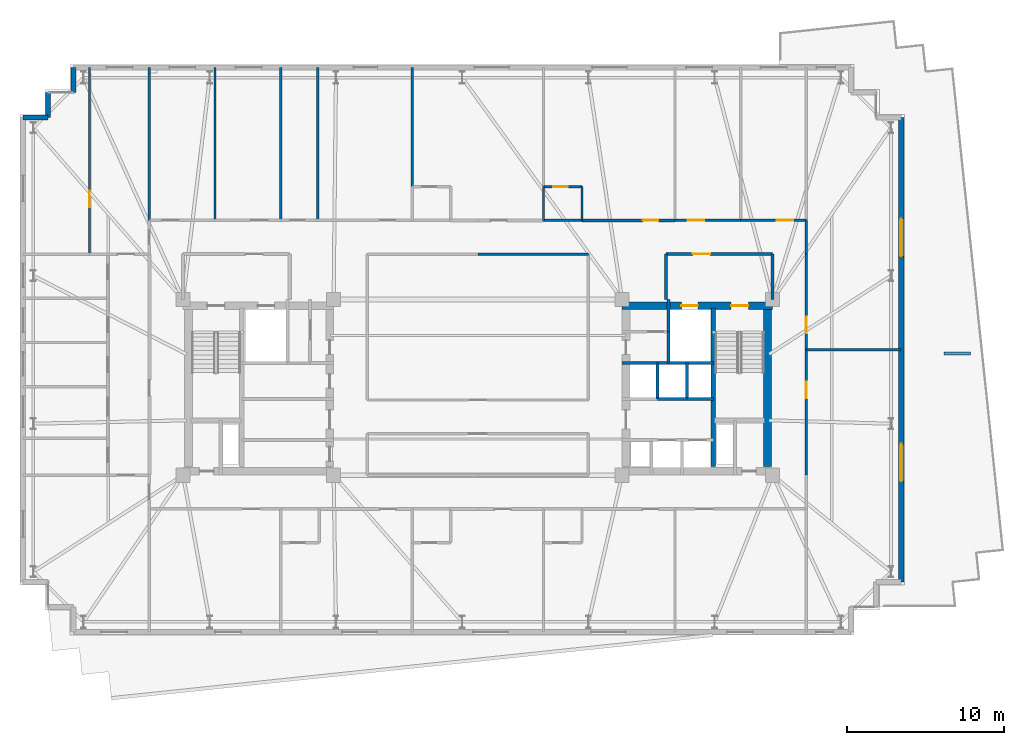
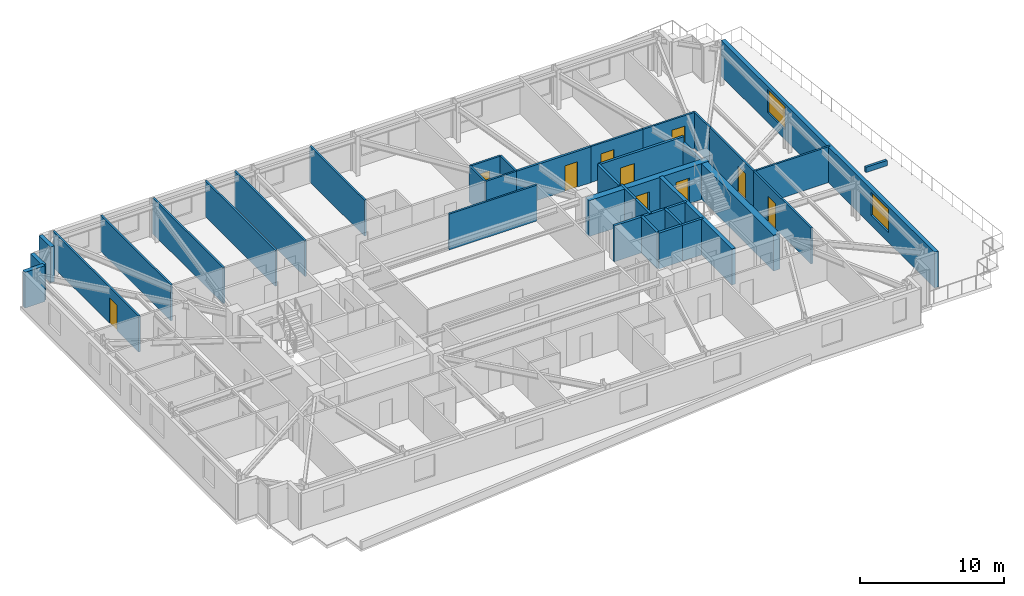
# One storey, part 14 of 19: 36 walls, 10 doors, 2 windows, 12 openings.
"""IFC4 building model written with IfcOpenShell, lengths in metres."""

from ifc_helpers import new_model, si_unit, direction, frame, frame_2d, origin, place, context, subcontext, project, spatial, rectangle, extrude, material, layer, layer_set, type_object, element, fill, save


model = new_model("IFC4")

# Units and contexts
model_context = context("Model", 3, precision=1e-05, world=origin(), true_north=direction((0.0, 1.0)))
body_context = subcontext(model_context, "Body", "Model", "MODEL_VIEW")
ifc_project = project(units=[si_unit("LENGTHUNIT", "METRE"), si_unit("AREAUNIT", "SQUARE_METRE"), si_unit("VOLUMEUNIT", "CUBIC_METRE"), si_unit("PLANEANGLEUNIT", "RADIAN"), si_unit("MASSUNIT", "GRAM", prefix="KILO")], contexts=[model_context])

# Site, building, storey
site_placement = place(None, origin())
site = spatial("IfcSite", under=ifc_project, at=site_placement, CompositionType="ELEMENT")
building_placement = place(site_placement, origin())
building = spatial("IfcBuilding", under=site, at=building_placement, Name="Qobustan Lattice House", CompositionType="ELEMENT")
storey_placement = place(building_placement, frame((0.0, 0.0, 131.0)))
storey = spatial("IfcBuildingStorey", under=building, at=storey_placement, Name="L36", CompositionType="ELEMENT", Elevation=131.0)

# Wall, openings, doors
ifc_material_1 = material(Name="Concrete C50/60", Category="concrete")
ifc_layer_1 = layer(ifc_material_1, 0.5)
ifc_layer_set_1 = layer_set([ifc_layer_1], Name="Concrete C50/60")
wall_type_1 = type_object("IfcWallType", Name="WAL-CORE-500", PredefinedType="SHEAR", material=ifc_layer_set_1)
wall_1_placement = place(storey_placement, frame((9.199951171875, 5.2099609375, 0.0), z_axis=(0.0, 0.0, 1.0), x_axis=(1.0, 0.0, 0.0)))
wall_1 = element("IfcWall", 1, at=wall_1_placement, inside=storey, type_object=wall_type_1, Name="L36 split-core shear wall CE-N", PredefinedType="SHEAR", context=body_context, shape_type="SweptSolid", body=[
    extrude(rectangle(XDim=9.60009765625, YDim=0.5, at=frame_2d((4.800048828125, 0.0))), origin(), (0.0, 0.0, 1.0), 3.0400390625),
])
opening_1_placement = place(wall_1_placement, frame((6.949951171875, 0.0, 0.0)))
opening_1 = element("IfcOpeningElement", 2, at=opening_1_placement, cuts=wall_1, Name="Opening SD-01", PredefinedType="OPENING", context=body_context, shape_type="SweptSolid", body=[
    extrude(rectangle(XDim=1.10009765625, YDim=2.14990234375, at=frame_2d((0.550048828125, 1.074951171875))), frame((0.0, 0.260009765625, 0.0), z_axis=(0.0, -1.0, 0.0), x_axis=(1.0, 0.0, 0.0)), (0.0, 0.0, 1.0), 0.52001953125),
])
opening_2_placement = place(wall_1_placement, frame((3.77490234375, 0.0, 0.0)))
opening_2 = element("IfcOpeningElement", 3, at=opening_2_placement, cuts=wall_1, Name="Opening LD-01", PredefinedType="OPENING", context=body_context, shape_type="SweptSolid", body=[
    extrude(rectangle(XDim=1.050048828125, YDim=2.10009765625, at=frame_2d((0.52490234375, 1.050048828125))), frame((0.0, 0.260009765625, 0.0), z_axis=(0.0, -1.0, 0.0), x_axis=(1.0, 0.0, 0.0)), (0.0, 0.0, 1.0), 0.52001953125),
])
ifc_material_2 = material(Name="Persian walnut timber and steel frame door", Category="steel")
door_type_1 = type_object("IfcDoorType", Name="DOR-LIFT-LD-1050x2100", OperationType="NOTDEFINED", PredefinedType="DOOR", material=ifc_material_2)
door_1_placement = place(opening_2_placement, origin())
door_1 = element("IfcDoor", 4, at=door_1_placement, inside=storey, type_object=door_type_1, Name="L36 firefighting lift FF-E landing door", OperationType="DOUBLE_DOOR_SLIDING", OverallHeight=2.10009765625, OverallWidth=1.050048828125, PredefinedType="DOOR", context=body_context, shape_type="SweptSolid", body=[
    extrude(rectangle(XDim=1.050048828125, YDim=2.10009765625, at=frame_2d((0.52490234375, 1.050048828125))), frame((0.0, 0.02490234375, 0.0), z_axis=(0.0, -1.0, 0.0), x_axis=(1.0, 0.0, 0.0)), (0.0, 0.0, 1.0), 0.050048828125),
])
fill(opening_2, door_1)
ifc_material_3 = material(Name="Persian walnut timber and steel frame door", Category="steel")
door_type_2 = type_object("IfcDoorType", Name="DOR-STAIR-FD-1100x2150", OperationType="NOTDEFINED", PredefinedType="DOOR", material=ifc_material_3)
door_2_placement = place(opening_1_placement, origin())
door_2 = element("IfcDoor", 5, at=door_2_placement, inside=storey, type_object=door_type_2, Name="L36 exit stair ST-E1 fire door", OperationType="SINGLE_SWING_LEFT", OverallHeight=2.14990234375, OverallWidth=1.10009765625, PredefinedType="DOOR", context=body_context, shape_type="SweptSolid", body=[
    extrude(rectangle(XDim=1.10009765625, YDim=2.14990234375, at=frame_2d((0.550048828125, 1.074951171875))), frame((0.0, 0.02490234375, 0.0), z_axis=(0.0, -1.0, 0.0), x_axis=(1.0, 0.0, 0.0)), (0.0, 0.0, 1.0), 0.050048828125),
])
fill(opening_1, door_2)

# Walls
wall_2_placement = place(storey_placement, frame((18.4599609375, -5.050048828125, 0.0), z_axis=(0.0, 0.0, 1.0), x_axis=(0.0, 1.0, 0.0)))
element("IfcWall", 6, at=wall_2_placement, inside=storey, type_object=wall_type_1, Name="L36 split-core shear wall CE-E", PredefinedType="SHEAR", context=body_context, shape_type="SweptSolid", body=[
    extrude(rectangle(XDim=10.10009765625, YDim=0.5, at=frame_2d((5.050048828125, 0.0))), origin(), (0.0, 0.0, 1.0), 3.0400390625),
])
ifc_material_4 = material(Name="Concrete C50/60", Category="concrete")
ifc_layer_2 = layer(ifc_material_4, 0.280029296875)
ifc_layer_set_2 = layer_set([ifc_layer_2], Name="Concrete C50/60")
wall_type_2 = type_object("IfcWallType", Name="WAL-CORE-SPINE-280", PredefinedType="SHEAR", material=ifc_layer_set_2)
wall_3_placement = place(storey_placement, frame((15.02001953125, -5.050048828125, 0.0), z_axis=(0.0, 0.0, 1.0), x_axis=(0.0, 1.0, 0.0)))
element("IfcWall", 7, at=wall_3_placement, inside=storey, type_object=wall_type_2, Name="L36 split-core shear wall CE-M", PredefinedType="SHEAR", context=body_context, shape_type="SweptSolid", body=[
    extrude(rectangle(XDim=10.10009765625, YDim=0.300048828125, at=frame_2d((5.050048828125, 0.0))), origin(), (0.0, 0.0, 1.0), 3.0400390625),
])
ifc_material_5 = material(Name="Precast concrete C40/50", Category="concrete")
ifc_layer_3 = layer(ifc_material_5, 0.320068359375)
ifc_layer_set_3 = layer_set([ifc_layer_3], Name="Precast concrete C40/50")
wall_type_3 = type_object("IfcWallType", Name="WAL-EXT-STONE-320", PredefinedType="SOLIDWALL", material=ifc_layer_set_3)
for number, where, z_axis, x_axis, name in (
    (8, (-29.0, 17.199951171875, 0.0), (0.0, 0.0, 1.0), (1.0, 0.0, 0.0), "L36 exterior limestone-clad wall 6"),
    (9, (-27.39990234375, 17.199951171875, 0.0), (0.0, 0.0, 1.0), (0.0, 1.0, 0.0), "L36 exterior limestone-clad wall 7"),
):
    element("IfcWall", number, at=place(storey_placement, frame(where, z_axis=z_axis, x_axis=x_axis)), inside=storey, type_object=wall_type_3, Name=name, PredefinedType="SOLIDWALL", context=body_context, shape_type="SweptSolid", body=[
        extrude(rectangle(XDim=1.60009765625, YDim=0.320068359375, at=frame_2d((0.800048828125, 0.0))), origin(), (0.0, 0.0, 1.0), 3.0400390625),
    ])
wall_4_placement = place(storey_placement, frame((-25.800048828125, 18.800048828125, 0.0), z_axis=(0.0, 0.0, 1.0), x_axis=(0.0, 1.0, 0.0)))
element("IfcWall", 10, at=wall_4_placement, inside=storey, type_object=wall_type_3, Name="L36 exterior limestone-clad wall 9", PredefinedType="SOLIDWALL", context=body_context, shape_type="SweptSolid", body=[
    extrude(rectangle(XDim=1.599853515625, YDim=0.320068359375, at=frame_2d((0.7998046875, 0.0))), origin(), (0.0, 0.0, 1.0), 3.0400390625),
])

# Wall, openings, windows
wall_5_placement = place(storey_placement, frame((27.0, 17.199951171875, 0.0), z_axis=(0.0, 0.0, 1.0), x_axis=(0.0, -1.0, 0.0)))
wall_5 = element("IfcWall", 11, at=wall_5_placement, inside=storey, type_object=wall_type_3, Name="L36 exterior limestone-clad wall 15", PredefinedType="SOLIDWALL", context=body_context, shape_type="SweptSolid", body=[
    extrude(rectangle(XDim=29.599853515625, YDim=0.320068359375, at=frame_2d((14.7998046875, 0.0))), origin(), (0.0, 0.0, 1.0), 3.0400390625),
])
opening_3_placement = place(wall_5_placement, frame((6.43994140625, 0.0, 0.85009765625)))
opening_3 = element("IfcOpeningElement", 12, at=opening_3_placement, cuts=wall_5, Name="Opening WN-10", PredefinedType="OPENING", context=body_context, shape_type="SweptSolid", body=[
    extrude(rectangle(XDim=2.39990234375, YDim=1.949951171875, at=frame_2d((1.199951171875, 0.97509765625))), frame((0.0, 0.169921875, 0.0), z_axis=(0.0, -1.0, 0.0), x_axis=(1.0, 0.0, 0.0)), (0.0, 0.0, 1.0), 0.340087890625),
])
opening_4_placement = place(wall_5_placement, frame((20.800048828125, 0.0, 0.85009765625)))
opening_4 = element("IfcOpeningElement", 13, at=opening_4_placement, cuts=wall_5, Name="Opening WN-10", PredefinedType="OPENING", context=body_context, shape_type="SweptSolid", body=[
    extrude(rectangle(XDim=2.39990234375, YDim=1.949951171875, at=frame_2d((1.199951171875, 0.97509765625))), frame((0.0, 0.169921875, 0.0), z_axis=(0.0, -1.0, 0.0), x_axis=(1.0, 0.0, 0.0)), (0.0, 0.0, 1.0), 0.340087890625),
])
ifc_material_6 = material(Name="Double-glazed low-E aluminium window", Category="aluminium")
window_type = type_object("IfcWindowType", Name="WIN-LNG-2400x1950", PartitioningType="SINGLE_PANEL", PredefinedType="WINDOW", material=ifc_material_6)
window_1_placement = place(opening_3_placement, origin())
window_1 = element("IfcWindow", 14, at=window_1_placement, inside=storey, type_object=window_type, Name="L36 Spiral terrace north lounge window", OverallHeight=1.949951171875, OverallWidth=2.39990234375, PartitioningType="SINGLE_PANEL", PredefinedType="WINDOW", context=body_context, shape_type="SweptSolid", body=[
    extrude(rectangle(XDim=2.39990234375, YDim=1.949951171875, at=frame_2d((1.199951171875, 0.97509765625))), frame((0.0, 0.030029296875, 0.0), z_axis=(0.0, -1.0, 0.0), x_axis=(1.0, 0.0, 0.0)), (0.0, 0.0, 1.0), 0.06005859375),
])
fill(opening_3, window_1)
window_2_placement = place(opening_4_placement, origin())
window_2 = element("IfcWindow", 15, at=window_2_placement, inside=storey, type_object=window_type, Name="L36 Spiral terrace south lounge window", OverallHeight=1.949951171875, OverallWidth=2.39990234375, PartitioningType="SINGLE_PANEL", PredefinedType="WINDOW", context=body_context, shape_type="SweptSolid", body=[
    extrude(rectangle(XDim=2.39990234375, YDim=1.949951171875, at=frame_2d((1.199951171875, 0.97509765625))), frame((0.0, 0.030029296875, 0.0), z_axis=(0.0, -1.0, 0.0), x_axis=(1.0, 0.0, 0.0)), (0.0, 0.0, 1.0), 0.06005859375),
])
fill(opening_4, window_2)

# Wall, opening, door
ifc_material_7 = material(Name="Gypsum fireboard acoustic partition", Category="gypsum")
ifc_layer_4 = layer(ifc_material_7, 0.179931640625)
ifc_layer_set_4 = layer_set([ifc_layer_4], Name="Gypsum fireboard acoustic partition")
wall_type_4 = type_object("IfcWallType", Name="WAL-FIRE-180", PredefinedType="PARTITIONING", material=ifc_layer_set_4)
wall_6_placement = place(storey_placement, frame((6.639892578125, 10.64990234375, 0.0), z_axis=(0.0, 0.0, 1.0), x_axis=(1.0, 0.0, 0.0)))
wall_6 = element("IfcWall", 16, at=wall_6_placement, inside=storey, type_object=wall_type_4, Name="L36 interior partition 44", PredefinedType="PARTITIONING", context=body_context, shape_type="SweptSolid", body=[
    extrude(rectangle(XDim=5.93017578125, YDim=0.179931640625, at=frame_2d((2.965087890625, 0.0))), origin(), (0.0, 0.0, 1.0), 3.0400390625),
])
opening_5_placement = place(wall_6_placement, frame((3.87890625, 0.0, 0.0)))
opening_5 = element("IfcOpeningElement", 17, at=opening_5_placement, cuts=wall_6, Name="Opening FD-02", PredefinedType="OPENING", context=body_context, shape_type="SweptSolid", body=[
    extrude(rectangle(XDim=1.0, YDim=2.14990234375, at=frame_2d((0.5, 1.074951171875))), frame((0.0, 0.099853515625, 0.0), z_axis=(0.0, -1.0, 0.0), x_axis=(1.0, 0.0, 0.0)), (0.0, 0.0, 1.0), 0.199951171875),
])
ifc_material_8 = material(Name="Persian walnut timber and steel frame door", Category="steel")
door_type_3 = type_object("IfcDoorType", Name="DOR-UNIT-FD-1000x2150", OperationType="NOTDEFINED", PredefinedType="DOOR", material=ifc_material_8)
door_3_placement = place(opening_5_placement, origin())
door_3 = element("IfcDoor", 18, at=door_3_placement, inside=storey, type_object=door_type_3, Name="L36 North-east floor corridor to Kitchenette and studio apartment L36-N4 door", OperationType="SINGLE_SWING_RIGHT", OverallHeight=2.14990234375, OverallWidth=1.0, PredefinedType="DOOR", context=body_context, shape_type="SweptSolid", body=[
    extrude(rectangle(XDim=1.0, YDim=2.14990234375, at=frame_2d((0.5, 1.074951171875))), frame((0.0, 0.02490234375, 0.0), z_axis=(0.0, -1.0, 0.0), x_axis=(1.0, 0.0, 0.0)), (0.0, 0.0, 1.0), 0.050048828125),
])
fill(opening_5, door_3)

# Wall
ifc_material_9 = material(Name="Acoustic twin-stud gypsum partition", Category="gypsum")
ifc_layer_5 = layer(ifc_material_9, 0.14990234375)
ifc_layer_set_5 = layer_set([ifc_layer_5], Name="Acoustic twin-stud gypsum partition")
wall_type_5 = type_object("IfcWallType", Name="WAL-PART-150", PredefinedType="PARTITIONING", material=ifc_layer_set_5)
wall_7_placement = place(storey_placement, frame((20.949951171875, 10.64990234375, 0.0), z_axis=(0.0, 0.0, 1.0), x_axis=(0.0, -1.0, 0.0)))
element("IfcWall", 19, at=wall_7_placement, inside=storey, type_object=wall_type_5, Name="L36 interior partition 42", PredefinedType="PARTITIONING", context=body_context, shape_type="SweptSolid", body=[
    extrude(rectangle(XDim=2.14990234375, YDim=0.14990234375, at=frame_2d((1.074951171875, 0.0))), origin(), (0.0, 0.0, 1.0), 3.0400390625),
])

# Wall, opening, door
wall_8_placement = place(storey_placement, frame((12.570068359375, 10.64990234375, 0.0), z_axis=(0.0, 0.0, 1.0), x_axis=(1.0, 0.0, 0.0)))
wall_8 = element("IfcWall", 20, at=wall_8_placement, inside=storey, type_object=wall_type_5, Name="L36 interior partition 46", PredefinedType="PARTITIONING", context=body_context, shape_type="SweptSolid", body=[
    extrude(rectangle(XDim=4.18994140625, YDim=0.14990234375, at=frame_2d((2.094970703125, 0.0))), origin(), (0.0, 0.0, 1.0), 3.0400390625),
])
opening_6_placement = place(wall_8_placement, frame((0.827392578125, 0.0, 0.0)))
opening_6 = element("IfcOpeningElement", 21, at=opening_6_placement, cuts=wall_8, Name="Opening ID-02", PredefinedType="OPENING", context=body_context, shape_type="SweptSolid", body=[
    extrude(rectangle(XDim=1.050048828125, YDim=2.14990234375, at=frame_2d((0.52490234375, 1.074951171875))), frame((0.0, 0.0849609375, 0.0), z_axis=(0.0, -1.0, 0.0), x_axis=(1.0, 0.0, 0.0)), (0.0, 0.0, 1.0), 0.169921875),
])
ifc_material_10 = material(Name="Persian walnut timber and steel frame door", Category="steel")
door_type_4 = type_object("IfcDoorType", Name="DOR-STUDY-1050x2150", OperationType="NOTDEFINED", PredefinedType="DOOR", material=ifc_material_10)
door_4_placement = place(opening_6_placement, origin())
door_4 = element("IfcDoor", 22, at=door_4_placement, inside=storey, type_object=door_type_4, Name="L36 North-east floor corridor to Focus study room N5A door", OperationType="SINGLE_SWING_LEFT", OverallHeight=2.14990234375, OverallWidth=1.050048828125, PredefinedType="DOOR", context=body_context, shape_type="SweptSolid", body=[
    extrude(rectangle(XDim=1.050048828125, YDim=2.14990234375, at=frame_2d((0.52490234375, 1.074951171875))), frame((0.0, 0.02490234375, 0.0), z_axis=(0.0, -1.0, 0.0), x_axis=(1.0, 0.0, 0.0)), (0.0, 0.0, 1.0), 0.050048828125),
])
fill(opening_6, door_4)

wall_9_placement = place(storey_placement, frame((16.760009765625, 10.64990234375, 0.0), z_axis=(0.0, 0.0, 1.0), x_axis=(1.0, 0.0, 0.0)))
wall_9 = element("IfcWall", 23, at=wall_9_placement, inside=storey, type_object=wall_type_5, Name="L36 interior partition 47", PredefinedType="PARTITIONING", context=body_context, shape_type="SweptSolid", body=[
    extrude(rectangle(XDim=4.18994140625, YDim=0.14990234375, at=frame_2d((2.094970703125, 0.0))), origin(), (0.0, 0.0, 1.0), 3.0400390625),
])
opening_7_placement = place(wall_9_placement, frame((2.3125, 0.0, 0.0)))
opening_7 = element("IfcOpeningElement", 24, at=opening_7_placement, cuts=wall_9, Name="Opening ID-02", PredefinedType="OPENING", context=body_context, shape_type="SweptSolid", body=[
    extrude(rectangle(XDim=1.050048828125, YDim=2.14990234375, at=frame_2d((0.52490234375, 1.074951171875))), frame((0.0, 0.0849609375, 0.0), z_axis=(0.0, -1.0, 0.0), x_axis=(1.0, 0.0, 0.0)), (0.0, 0.0, 1.0), 0.169921875),
])
door_5_placement = place(opening_7_placement, origin())
door_5 = element("IfcDoor", 25, at=door_5_placement, inside=storey, type_object=door_type_4, Name="L36 North-east floor corridor to Focus study room N5B door", OperationType="SINGLE_SWING_RIGHT", OverallHeight=2.14990234375, OverallWidth=1.050048828125, PredefinedType="DOOR", context=body_context, shape_type="SweptSolid", body=[
    extrude(rectangle(XDim=1.050048828125, YDim=2.14990234375, at=frame_2d((0.52490234375, 1.074951171875))), frame((0.0, 0.02490234375, 0.0), z_axis=(0.0, -1.0, 0.0), x_axis=(1.0, 0.0, 0.0)), (0.0, 0.0, 1.0), 0.050048828125),
])
fill(opening_7, door_5)

# Wall
wall_10_placement = place(storey_placement, frame((7.050048828125, 8.5, 0.0), z_axis=(0.0, 0.0, 1.0), x_axis=(-1.0, 0.0, 0.0)))
element("IfcWall", 26, at=wall_10_placement, inside=storey, type_object=wall_type_5, Name="L36 interior partition 48", PredefinedType="PARTITIONING", context=body_context, shape_type="SweptSolid", body=[
    extrude(rectangle(XDim=7.050048828125, YDim=0.14990234375, at=frame_2d((3.52490234375, 0.0))), origin(), (0.0, 0.0, 1.0), 3.0400390625),
])

# Wall, opening, door
wall_11_placement = place(storey_placement, frame((20.949951171875, 2.39990234375, 0.0), z_axis=(0.0, 0.0, 1.0), x_axis=(0.0, -1.0, 0.0)))
wall_11 = element("IfcWall", 27, at=wall_11_placement, inside=storey, type_object=wall_type_5, Name="L36 interior partition 63", PredefinedType="PARTITIONING", context=body_context, shape_type="SweptSolid", body=[
    extrude(rectangle(XDim=8.0, YDim=0.14990234375, at=frame_2d((4.0, 0.0))), origin(), (0.0, 0.0, 1.0), 3.0400390625),
])
opening_8_placement = place(wall_11_placement, frame((2.027587890625, 0.0, 0.0)))
opening_8 = element("IfcOpeningElement", 28, at=opening_8_placement, cuts=wall_11, Name="Opening ID-02", PredefinedType="OPENING", context=body_context, shape_type="SweptSolid", body=[
    extrude(rectangle(XDim=1.050048828125, YDim=2.14990234375, at=frame_2d((0.52490234375, 1.074951171875))), frame((0.0, 0.0849609375, 0.0), z_axis=(0.0, -1.0, 0.0), x_axis=(1.0, 0.0, 0.0)), (0.0, 0.0, 1.0), 0.169921875),
])
door_6_placement = place(opening_8_placement, origin())
door_6 = element("IfcDoor", 29, at=door_6_placement, inside=storey, type_object=door_type_4, Name="L36 East wing spine gallery to Spiral terrace south lounge door", OperationType="SINGLE_SWING_RIGHT", OverallHeight=2.14990234375, OverallWidth=1.050048828125, PredefinedType="DOOR", context=body_context, shape_type="SweptSolid", body=[
    extrude(rectangle(XDim=1.050048828125, YDim=2.14990234375, at=frame_2d((0.52490234375, 1.074951171875))), frame((0.0, 0.02490234375, 0.0), z_axis=(0.0, -1.0, 0.0), x_axis=(1.0, 0.0, 0.0)), (0.0, 0.0, 1.0), 0.050048828125),
])
fill(opening_8, door_6)

wall_12_placement = place(storey_placement, frame((20.949951171875, 8.5, 0.0), z_axis=(0.0, 0.0, 1.0), x_axis=(0.0, -1.0, 0.0)))
wall_12 = element("IfcWall", 30, at=wall_12_placement, inside=storey, type_object=wall_type_5, Name="L36 interior partition 64", PredefinedType="PARTITIONING", context=body_context, shape_type="SweptSolid", body=[
    extrude(rectangle(XDim=6.10009765625, YDim=0.14990234375, at=frame_2d((3.050048828125, 0.0))), origin(), (0.0, 0.0, 1.0), 3.0400390625),
])
opening_9_placement = place(wall_12_placement, frame((3.983642578125, 0.0, 0.0)))
opening_9 = element("IfcOpeningElement", 31, at=opening_9_placement, cuts=wall_12, Name="Opening ID-02", PredefinedType="OPENING", context=body_context, shape_type="SweptSolid", body=[
    extrude(rectangle(XDim=1.050048828125, YDim=2.14990234375, at=frame_2d((0.52490234375, 1.074951171875))), frame((0.0, 0.0849609375, 0.0), z_axis=(0.0, -1.0, 0.0), x_axis=(1.0, 0.0, 0.0)), (0.0, 0.0, 1.0), 0.169921875),
])
door_7_placement = place(opening_9_placement, origin())
door_7 = element("IfcDoor", 32, at=door_7_placement, inside=storey, type_object=door_type_4, Name="L36 East wing spine gallery to Spiral terrace north lounge door", OperationType="SINGLE_SWING_LEFT", OverallHeight=2.14990234375, OverallWidth=1.050048828125, PredefinedType="DOOR", context=body_context, shape_type="SweptSolid", body=[
    extrude(rectangle(XDim=1.050048828125, YDim=2.14990234375, at=frame_2d((0.52490234375, 1.074951171875))), frame((0.0, 0.02490234375, 0.0), z_axis=(0.0, -1.0, 0.0), x_axis=(1.0, 0.0, 0.0)), (0.0, 0.0, 1.0), 0.050048828125),
])
fill(opening_9, door_7)

wall_13_placement = place(storey_placement, frame((-24.764892578125, 8.5, 0.0), z_axis=(0.0, 0.0, 1.0), x_axis=(0.0, 1.0, 0.0)))
wall_13 = element("IfcWall", 33, at=wall_13_placement, inside=storey, type_object=wall_type_5, Name="L36 interior partition 78", PredefinedType="PARTITIONING", context=body_context, shape_type="SweptSolid", body=[
    extrude(rectangle(XDim=11.89990234375, YDim=0.14990234375, at=frame_2d((5.949951171875, 0.0))), origin(), (0.0, 0.0, 1.0), 3.0400390625),
])
opening_10_placement = place(wall_13_placement, frame((3.00244140625, 0.0, 0.0)))
opening_10 = element("IfcOpeningElement", 34, at=opening_10_placement, cuts=wall_13, Name="Opening ID-02", PredefinedType="OPENING", context=body_context, shape_type="SweptSolid", body=[
    extrude(rectangle(XDim=1.050048828125, YDim=2.14990234375, at=frame_2d((0.52490234375, 1.074951171875))), frame((0.0, 0.0849609375, 0.0), z_axis=(0.0, -1.0, 0.0), x_axis=(1.0, 0.0, 0.0)), (0.0, 0.0, 1.0), 0.169921875),
])
door_8_placement = place(opening_10_placement, origin())
door_8 = element("IfcDoor", 35, at=door_8_placement, inside=storey, type_object=door_type_4, Name="L36 Reading seminar room L36WN to Collaborative study room L36WN door", OperationType="SINGLE_SWING_LEFT", OverallHeight=2.14990234375, OverallWidth=1.050048828125, PredefinedType="DOOR", context=body_context, shape_type="SweptSolid", body=[
    extrude(rectangle(XDim=1.050048828125, YDim=2.14990234375, at=frame_2d((0.52490234375, 1.074951171875))), frame((0.0, 0.02490234375, 0.0), z_axis=(0.0, -1.0, 0.0), x_axis=(1.0, 0.0, 0.0)), (0.0, 0.0, 1.0), 0.050048828125),
])
fill(opening_10, door_8)

# Walls
wall_14_placement = place(storey_placement, frame((-20.949951171875, 20.39990234375, 0.0), z_axis=(0.0, 0.0, 1.0), x_axis=(0.0, -1.0, 0.0)))
element("IfcWall", 36, at=wall_14_placement, inside=storey, type_object=wall_type_5, Name="L36 interior partition 80", PredefinedType="PARTITIONING", context=body_context, shape_type="SweptSolid", body=[
    extrude(rectangle(XDim=9.75, YDim=0.14990234375, at=frame_2d((4.875, 0.0))), origin(), (0.0, 0.0, 1.0), 3.0400390625),
])
wall_15_placement = place(storey_placement, frame((20.949951171875, 2.39990234375, 0.0), z_axis=(0.0, 0.0, 1.0), x_axis=(1.0, 0.0, 0.0)))
element("IfcWall", 37, at=wall_15_placement, inside=storey, type_object=wall_type_5, Name="L36 interior partition 88", PredefinedType="PARTITIONING", context=body_context, shape_type="SweptSolid", body=[
    extrude(rectangle(XDim=6.050048828125, YDim=0.14990234375, at=frame_2d((3.02490234375, 0.0))), origin(), (0.0, 0.0, 1.0), 3.0400390625),
])
wall_16_placement = place(storey_placement, frame((-16.760009765625, 20.39990234375, 0.0), z_axis=(0.0, 0.0, 1.0), x_axis=(0.0, -1.0, 0.0)))
element("IfcWall", 38, at=wall_16_placement, inside=storey, type_object=wall_type_5, Name="L36 interior partition 91", PredefinedType="PARTITIONING", context=body_context, shape_type="SweptSolid", body=[
    extrude(rectangle(XDim=9.75, YDim=0.14990234375, at=frame_2d((4.875, 0.0))), origin(), (0.0, 0.0, 1.0), 3.0400390625),
])
wall_17_placement = place(storey_placement, frame((-4.18994140625, 20.39990234375, 0.0), z_axis=(0.0, 0.0, 1.0), x_axis=(0.0, -1.0, 0.0)))
element("IfcWall", 39, at=wall_17_placement, inside=storey, type_object=wall_type_5, Name="L36 interior partition 94", PredefinedType="PARTITIONING", context=body_context, shape_type="SweptSolid", body=[
    extrude(rectangle(XDim=7.599853515625, YDim=0.14990234375, at=frame_2d((3.7998046875, 0.0))), origin(), (0.0, 0.0, 1.0), 3.0400390625),
])
ifc_material_11 = material(Name="Qobustan buff limestone", Category="masonry")
ifc_layer_6 = layer(ifc_material_11, 0.199951171875)
ifc_layer_set_6 = layer_set([ifc_layer_6], Name="Qobustan buff limestone")
wall_type_6 = type_object("IfcWallType", Name="WAL-PLANTER-200", PredefinedType="USERDEFINED", material=ifc_layer_set_6)
wall_18_placement = place(storey_placement, frame((29.71240234375, 2.158203125, 0.0), z_axis=(0.0, 0.0, 1.0), x_axis=(1.0, 0.0, 0.0)))
element("IfcWall", 40, at=wall_18_placement, inside=storey, type_object=wall_type_6, Name="L36 planted terrace stone planter", ObjectType="PLANTER", PredefinedType="USERDEFINED", context=body_context, shape_type="SweptSolid", body=[
    extrude(rectangle(XDim=1.699951171875, YDim=0.199951171875, at=frame_2d((0.85009765625, 0.0))), origin(), (0.0, 0.0, 1.0), 0.449951171875),
])

# Wall, opening, door
ifc_material_12 = material(Name="Two-hour gypsum fireboard acoustic partition", Category="gypsum")
ifc_layer_7 = layer(ifc_material_12, 0.199951171875)
ifc_layer_set_7 = layer_set([ifc_layer_7], Name="Two-hour gypsum fireboard acoustic partition")
wall_type_7 = type_object("IfcWallType", Name="WAL-PROT-200", PredefinedType="PARTITIONING", material=ifc_layer_set_7)
wall_19_placement = place(storey_placement, frame((18.800048828125, 8.5, 0.0), z_axis=(0.0, 0.0, 1.0), x_axis=(-1.0, 0.0, 0.0)))
wall_19 = element("IfcWall", 41, at=wall_19_placement, inside=storey, type_object=wall_type_7, Name="L36 interior partition 18", PredefinedType="PARTITIONING", context=body_context, shape_type="SweptSolid", body=[
    extrude(rectangle(XDim=6.800048828125, YDim=0.199951171875, at=frame_2d((3.39990234375, 0.0))), origin(), (0.0, 0.0, 1.0), 3.0400390625),
])
opening_11_placement = place(wall_19_placement, frame((3.985107421875, 0.0, 0.0)))
opening_11 = element("IfcOpeningElement", 42, at=opening_11_placement, cuts=wall_19, Name="Opening SD-01", PredefinedType="OPENING", context=body_context, shape_type="SweptSolid", body=[
    extrude(rectangle(XDim=1.10009765625, YDim=2.14990234375, at=frame_2d((0.550048828125, 1.074951171875))), frame((0.0, 0.10986328125, 0.0), z_axis=(0.0, -1.0, 0.0), x_axis=(1.0, 0.0, 0.0)), (0.0, 0.0, 1.0), 0.219970703125),
])
door_9_placement = place(opening_11_placement, origin())
door_9 = element("IfcDoor", 43, at=door_9_placement, inside=storey, type_object=door_type_2, Name="L36 East firefighting lift lobby to North-east floor corridor door", OperationType="SINGLE_SWING_RIGHT", OverallHeight=2.14990234375, OverallWidth=1.10009765625, PredefinedType="DOOR", context=body_context, shape_type="SweptSolid", body=[
    extrude(rectangle(XDim=1.10009765625, YDim=2.14990234375, at=frame_2d((0.550048828125, 1.074951171875))), frame((0.0, 0.02490234375, 0.0), z_axis=(0.0, -1.0, 0.0), x_axis=(1.0, 0.0, 0.0)), (0.0, 0.0, 1.0), 0.050048828125),
])
fill(opening_11, door_9)

# Walls
wall_20_placement = place(storey_placement, frame((18.800048828125, 5.60009765625, 0.0), z_axis=(0.0, 0.0, 1.0), x_axis=(0.0, 1.0, 0.0)))
element("IfcWall", 44, at=wall_20_placement, inside=storey, type_object=wall_type_7, Name="L36 interior partition 19", PredefinedType="PARTITIONING", context=body_context, shape_type="SweptSolid", body=[
    extrude(rectangle(XDim=2.89990234375, YDim=0.199951171875, at=frame_2d((1.449951171875, 0.0))), origin(), (0.0, 0.0, 1.0), 2.52490234375),
])
wall_21_placement = place(storey_placement, frame((12.0, 8.5, 0.0), z_axis=(0.0, 0.0, 1.0), x_axis=(0.0, -1.0, 0.0)))
element("IfcWall", 45, at=wall_21_placement, inside=storey, type_object=wall_type_7, Name="L36 interior partition 20", PredefinedType="PARTITIONING", context=body_context, shape_type="SweptSolid", body=[
    extrude(rectangle(XDim=2.89990234375, YDim=0.199951171875, at=frame_2d((1.449951171875, 0.0))), origin(), (0.0, 0.0, 1.0), 3.0400390625),
])
ifc_material_13 = material(Name="Concrete C40/50", Category="concrete")
ifc_layer_8 = layer(ifc_material_13, 0.199951171875)
ifc_layer_set_8 = layer_set([ifc_layer_8], Name="Concrete C40/50")
wall_type_8 = type_object("IfcWallType", Name="WAL-SHAFT-200", PredefinedType="PARTITIONING", material=ifc_layer_set_8)
wall_22_placement = place(storey_placement, frame((12.14990234375, 3.550048828125, 0.0), z_axis=(0.0, 0.0, 1.0), x_axis=(0.0, -1.0, 0.0)))
element("IfcWall", 46, at=wall_22_placement, inside=storey, type_object=wall_type_8, Name="L36 interior partition 16", PredefinedType="PARTITIONING", context=body_context, shape_type="SweptSolid", body=[
    extrude(rectangle(XDim=2.0, YDim=0.199951171875, at=frame_2d((1.0, 0.0))), origin(), (0.0, 0.0, 1.0), 3.0400390625),
])
wall_23_placement = place(storey_placement, frame((12.14990234375, 5.60009765625, 0.0), z_axis=(0.0, 0.0, 1.0), x_axis=(0.0, -1.0, 0.0)))
element("IfcWall", 47, at=wall_23_placement, inside=storey, type_object=wall_type_8, Name="L36 interior partition 17", PredefinedType="PARTITIONING", context=body_context, shape_type="SweptSolid", body=[
    extrude(rectangle(XDim=2.050048828125, YDim=0.199951171875, at=frame_2d((1.02490234375, 0.0))), origin(), (0.0, 0.0, 1.0), 3.0400390625),
])
wall_24_placement = place(storey_placement, frame((13.340087890625, -0.75, 0.0), z_axis=(0.0, 0.0, 1.0), x_axis=(-1.0, 0.0, 0.0)))
element("IfcWall", 48, at=wall_24_placement, inside=storey, type_object=wall_type_8, Name="L36 interior partition 27", PredefinedType="PARTITIONING", context=body_context, shape_type="SweptSolid", body=[
    extrude(rectangle(XDim=1.880126953125, YDim=0.199951171875, at=frame_2d((0.93994140625, 0.0))), origin(), (0.0, 0.0, 1.0), 3.0400390625),
])
wall_25_placement = place(storey_placement, frame((15.02001953125, -0.75, 0.0), z_axis=(0.0, 0.0, 1.0), x_axis=(-1.0, 0.0, 0.0)))
element("IfcWall", 49, at=wall_25_placement, inside=storey, type_object=wall_type_8, Name="L36 interior partition 28", PredefinedType="PARTITIONING", context=body_context, shape_type="SweptSolid", body=[
    extrude(rectangle(XDim=1.679931640625, YDim=0.199951171875, at=frame_2d((0.83984375, 0.0))), origin(), (0.0, 0.0, 1.0), 3.0400390625),
])
for number, where, z_axis, x_axis, name in (
    (50, (11.4599609375, -0.75, 0.0), (0.0, 0.0, 1.0), (0.0, 1.0, 0.0), "L36 interior partition 32"),
    (51, (13.340087890625, -0.75, 0.0), (0.0, 0.0, 1.0), (0.0, 1.0, 0.0), "L36 interior partition 33"),
):
    element("IfcWall", number, at=place(storey_placement, frame(where, z_axis=z_axis, x_axis=x_axis)), inside=storey, type_object=wall_type_8, Name=name, PredefinedType="PARTITIONING", context=body_context, shape_type="SweptSolid", body=[
        extrude(rectangle(XDim=2.300048828125, YDim=0.199951171875, at=frame_2d((1.14990234375, 0.0))), origin(), (0.0, 0.0, 1.0), 3.0400390625),
    ])
wall_26_placement = place(storey_placement, frame((9.199951171875, 1.550048828125, 0.0), z_axis=(0.0, 0.0, 1.0), x_axis=(1.0, 0.0, 0.0)))
element("IfcWall", 52, at=wall_26_placement, inside=storey, type_object=wall_type_8, Name="L36 interior partition 118", PredefinedType="PARTITIONING", context=body_context, shape_type="SweptSolid", body=[
    extrude(rectangle(XDim=5.820068359375, YDim=0.199951171875, at=frame_2d((2.91015625, 0.0))), origin(), (0.0, 0.0, 1.0), 3.0400390625),
])
ifc_material_14 = material(Name="Moisture-resistant acoustic plumbing wall", Category="gypsum")
ifc_layer_9 = layer(ifc_material_14, 0.14990234375)
ifc_layer_set_9 = layer_set([ifc_layer_9], Name="Moisture-resistant acoustic plumbing wall")
wall_type_9 = type_object("IfcWallType", Name="WAL-WET-150", PredefinedType="PLUMBINGWALL", material=ifc_layer_set_9)
wall_27_placement = place(storey_placement, frame((4.18994140625, 10.64990234375, 0.0), z_axis=(0.0, 0.0, 1.0), x_axis=(1.0, 0.0, 0.0)))
element("IfcWall", 53, at=wall_27_placement, inside=storey, type_object=wall_type_9, Name="L36 interior partition 45", PredefinedType="PLUMBINGWALL", context=body_context, shape_type="SweptSolid", body=[
    extrude(rectangle(XDim=2.449951171875, YDim=0.14990234375, at=frame_2d((1.22509765625, 0.0))), origin(), (0.0, 0.0, 1.0), 3.0400390625),
])
for number, where, z_axis, x_axis, name in (
    (54, (-12.570068359375, 20.39990234375, 0.0), (0.0, 0.0, 1.0), (0.0, -1.0, 0.0), "L36 interior partition 92"),
    (55, (-10.219970703125, 20.39990234375, 0.0), (0.0, 0.0, 1.0), (0.0, -1.0, 0.0), "L36 interior partition 93"),
):
    element("IfcWall", number, at=place(storey_placement, frame(where, z_axis=z_axis, x_axis=x_axis)), inside=storey, type_object=wall_type_9, Name=name, PredefinedType="PLUMBINGWALL", context=body_context, shape_type="SweptSolid", body=[
        extrude(rectangle(XDim=9.75, YDim=0.14990234375, at=frame_2d((4.875, 0.0))), origin(), (0.0, 0.0, 1.0), 3.0400390625),
    ])
wall_28_placement = place(storey_placement, frame((4.18994140625, 12.800048828125, 0.0), z_axis=(0.0, 0.0, 1.0), x_axis=(0.0, -1.0, 0.0)))
element("IfcWall", 56, at=wall_28_placement, inside=storey, type_object=wall_type_9, Name="L36 interior partition 99", PredefinedType="PLUMBINGWALL", context=body_context, shape_type="SweptSolid", body=[
    extrude(rectangle(XDim=2.150146484375, YDim=0.14990234375, at=frame_2d((1.0751953125, 0.0))), origin(), (0.0, 0.0, 1.0), 3.0400390625),
])

# Wall, opening, door
wall_29_placement = place(storey_placement, frame((6.639892578125, 12.800048828125, 0.0), z_axis=(0.0, 0.0, 1.0), x_axis=(-1.0, 0.0, 0.0)))
wall_29 = element("IfcWall", 57, at=wall_29_placement, inside=storey, type_object=wall_type_9, Name="L36 interior partition 100", PredefinedType="PLUMBINGWALL", context=body_context, shape_type="SweptSolid", body=[
    extrude(rectangle(XDim=2.449951171875, YDim=0.14990234375, at=frame_2d((1.22509765625, 0.0))), origin(), (0.0, 0.0, 1.0), 3.0400390625),
])
opening_12_placement = place(wall_29_placement, frame((0.921142578125, 0.0, 0.0)))
opening_12 = element("IfcOpeningElement", 58, at=opening_12_placement, cuts=wall_29, Name="Opening WD-01", PredefinedType="OPENING", context=body_context, shape_type="SweptSolid", body=[
    extrude(rectangle(XDim=0.89990234375, YDim=2.10009765625, at=frame_2d((0.449951171875, 1.050048828125))), frame((0.0, 0.0849609375, 0.0), z_axis=(0.0, -1.0, 0.0), x_axis=(1.0, 0.0, 0.0)), (0.0, 0.0, 1.0), 0.169921875),
])
ifc_material_15 = material(Name="Persian walnut timber and steel frame door", Category="steel")
door_type_5 = type_object("IfcDoorType", Name="DOR-WET-900x2100", OperationType="NOTDEFINED", PredefinedType="DOOR", material=ifc_material_15)
door_10_placement = place(opening_12_placement, origin())
door_10 = element("IfcDoor", 59, at=door_10_placement, inside=storey, type_object=door_type_5, Name="L36 Kitchenette and studio apartment L36-N4 to En-suite bathroom L36-N4 door", OperationType="SINGLE_SWING_LEFT", OverallHeight=2.10009765625, OverallWidth=0.89990234375, PredefinedType="DOOR", context=body_context, shape_type="SweptSolid", body=[
    extrude(rectangle(XDim=0.89990234375, YDim=2.10009765625, at=frame_2d((0.449951171875, 1.050048828125))), frame((0.0, 0.02490234375, 0.0), z_axis=(0.0, -1.0, 0.0), x_axis=(1.0, 0.0, 0.0)), (0.0, 0.0, 1.0), 0.050048828125),
])
fill(opening_12, door_10)

# Wall
wall_30_placement = place(storey_placement, frame((6.639892578125, 10.64990234375, 0.0), z_axis=(0.0, 0.0, 1.0), x_axis=(0.0, 1.0, 0.0)))
element("IfcWall", 60, at=wall_30_placement, inside=storey, type_object=wall_type_9, Name="L36 interior partition 101", PredefinedType="PLUMBINGWALL", context=body_context, shape_type="SweptSolid", body=[
    extrude(rectangle(XDim=2.150146484375, YDim=0.14990234375, at=frame_2d((1.0751953125, 0.0))), origin(), (0.0, 0.0, 1.0), 3.0400390625),
])

save(model, "model.ifc")
